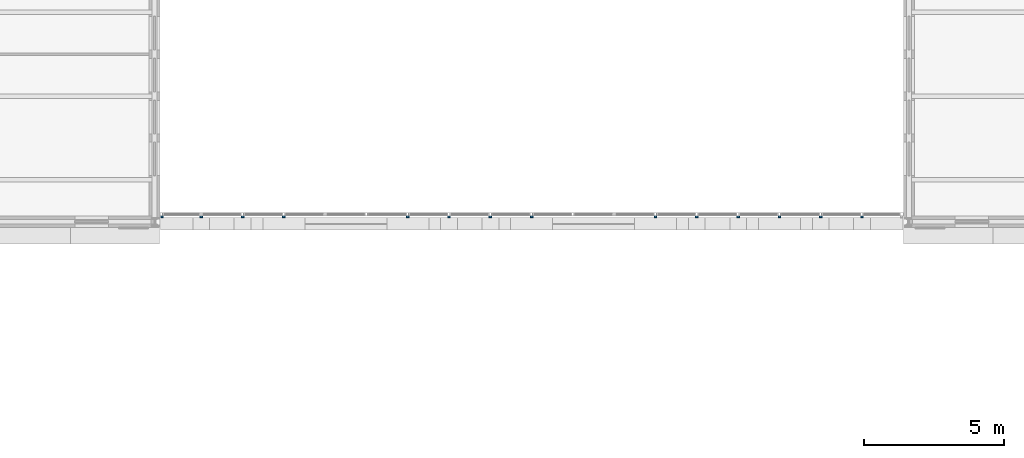
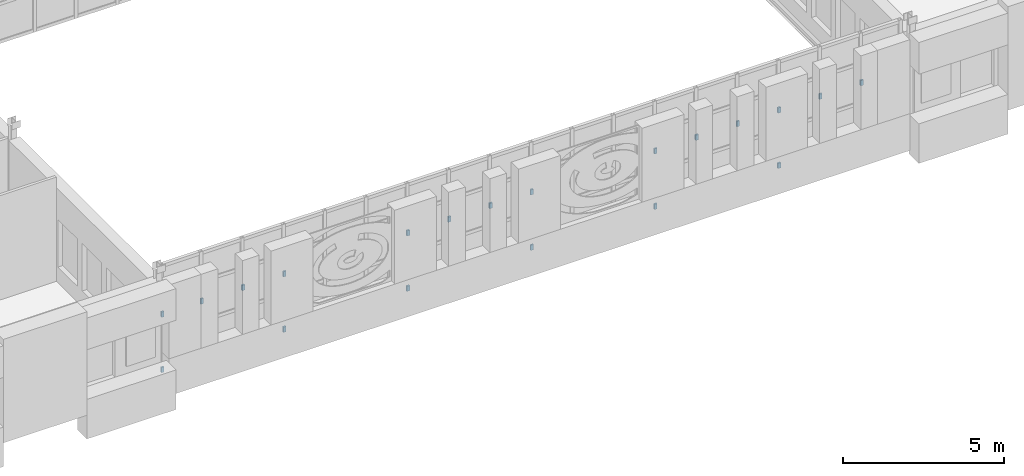
# One storey, part 123 of 154: 20 discrete accessories.
"""IFC4 building model written with IfcOpenShell, lengths in metres."""

import ifcopenshell
import ifcopenshell.guid

model = None  # the IFC model being written
_history = None  # IfcOwnerHistory: only IFC2X3 demands one
_inside = {}  # id of a spatial element -> (the spatial element, [elements in it])
_under = {}  # id of a project, library or spatial element -> (it, [spatial elements below it])
_declared = {}  # id of a project -> (the project, [libraries it declares])
_typed = {}  # id of a type object -> (the type object, [elements of that type])
_made_of = {}  # id of a material, layer set ... -> (it, [elements and type objects made of it])


def new_model(schema):
    """Start an empty IFC model of exactly this schema.

    Asked for "IFC4X3", IfcOpenShell would pick the latest addendum, in which some entities
    have other attributes; the version numbers below select the first issue.
    IFC2X3 requires an IfcOwnerHistory on every rooted entity: one is made here for all.
    """
    global model, _history
    if schema == "IFC4X3":
        model = ifcopenshell.file(schema_version=(4, 3, 0, 0))
    else:
        model = ifcopenshell.file(schema=schema)
    _inside.clear()
    _under.clear()
    _declared.clear()
    _typed.clear()
    _made_of.clear()
    _history = None
    if model.schema == "IFC2X3":
        org = make("IfcOrganization", Name="unknown")
        user = make(
            "IfcPersonAndOrganization",
            ThePerson=make("IfcPerson", FamilyName="unknown"),
            TheOrganization=org,
        )
        app = make(
            "IfcApplication",
            ApplicationDeveloper=org,
            Version="unknown",
            ApplicationFullName="unknown",
            ApplicationIdentifier="unknown",
        )
        _history = make(
            "IfcOwnerHistory",
            OwningUser=user,
            OwningApplication=app,
            ChangeAction="ADDED",
            CreationDate=0,
        )
    return model


def make(cls, **values):
    """One entity of the class cls with the attributes given. An attribute that is None is left unset."""
    return model.create_entity(
        cls, **{name: value for name, value in values.items() if value is not None}
    )


def rooted(cls, **values):
    """An entity with a GlobalId (a new one), such as an element, a storey or a relation."""
    return make(cls, GlobalId=ifcopenshell.guid.new(), OwnerHistory=_history, **values)


def si_unit(unit_type, name, prefix=None):
    """IfcSIUnit, for example si_unit("LENGTHUNIT", "METRE", prefix="MILLI")."""
    return make("IfcSIUnit", UnitType=unit_type, Prefix=prefix, Name=name)


def assignment(units):
    """IfcUnitAssignment: the units of a project."""
    return None if units is None else make("IfcUnitAssignment", Units=units)


def point(xyz):
    """IfcCartesianPoint."""
    return None if xyz is None else make("IfcCartesianPoint", Coordinates=xyz)


def direction(xyz):
    """IfcDirection."""
    return None if xyz is None else make("IfcDirection", DirectionRatios=xyz)


def frame(location, z_axis=None, x_axis=None):
    """IfcAxis2Placement3D, a coordinate frame: its origin and axes. An axis left out is left unset."""
    return make(
        "IfcAxis2Placement3D",
        Location=point(location),
        Axis=direction(z_axis),
        RefDirection=direction(x_axis),
    )


def frame_2d(location, x_axis=None):
    """IfcAxis2Placement2D, a coordinate frame in the plane: its origin and x axis."""
    return make(
        "IfcAxis2Placement2D", Location=point(location), RefDirection=direction(x_axis)
    )


def origin():
    """The frame at (0, 0, 0) with its axes left unset."""
    return frame((0.0, 0.0, 0.0))


def origin_2d():
    """The frame at (0, 0) in the plane with its x axis left unset."""
    return frame_2d((0.0, 0.0))


def place(relative_to, where):
    """IfcLocalPlacement: puts the frame where relative to a parent placement (None: the world)."""
    return make(
        "IfcLocalPlacement", PlacementRelTo=relative_to, RelativePlacement=where
    )


def context(
    kind, dimensions, precision=None, world=None, true_north=None, identifier=None
):
    """IfcGeometricRepresentationContext, for example the 3D "Model" context."""
    return make(
        "IfcGeometricRepresentationContext",
        ContextIdentifier=identifier,
        ContextType=kind,
        CoordinateSpaceDimension=dimensions,
        Precision=precision,
        WorldCoordinateSystem=world,
        TrueNorth=true_north,
    )


def subcontext(parent, identifier, kind, view, scale=None):
    """IfcGeometricRepresentationSubContext, for example "Body" below "Model"."""
    return make(
        "IfcGeometricRepresentationSubContext",
        ContextIdentifier=identifier,
        ContextType=kind,
        ParentContext=parent,
        TargetScale=scale,
        TargetView=view,
    )


def project(units=None, contexts=None):
    """IfcProject with its units and contexts."""
    return rooted(
        "IfcProject",
        Name="project",
        RepresentationContexts=contexts,
        UnitsInContext=assignment(units),
    )


def spatial(cls, under=None, at=None, **own):
    """A site, building, storey or space (cls), placed at a placement, below another one or the project."""
    s = rooted(cls, ObjectPlacement=at, **own)
    if under is not None:
        _under.setdefault(under.id(), (under, []))[1].append(s)
    return s


def profile(cls, at=None, kind="AREA", **sizes):
    """A parametric profile (cls). Its sizes go by their IFC names, for example OverallWidth=200.0."""
    return make(cls, ProfileType=kind, Position=at, **sizes)


def rectangle(**sizes):
    """IfcRectangleProfileDef."""
    return profile("IfcRectangleProfileDef", **sizes)


def extrude(swept, where, along, depth):
    """IfcExtrudedAreaSolid: the profile swept, set in the frame where, extruded along a direction by depth."""
    return make(
        "IfcExtrudedAreaSolid",
        SweptArea=swept,
        Position=where,
        ExtrudedDirection=direction(along),
        Depth=depth,
    )


def shape(context_of_items, identifier, shape_type, items):
    """IfcShapeRepresentation: the items that make up one representation, for example the "Body"."""
    return make(
        "IfcShapeRepresentation",
        ContextOfItems=context_of_items,
        RepresentationIdentifier=identifier,
        RepresentationType=shape_type,
        Items=items,
    )


def material(Name=None, Category=None):
    """IfcMaterial."""
    return make("IfcMaterial", Name=Name, Category=Category)


def made_of(thing, what):
    """Note that an element or type object is made of a material, layer set ...; save() writes the relation."""
    if what is not None:
        _made_of.setdefault(what.id(), (what, []))[1].append(thing)
    return thing


def type_object(cls, material=None, **own):
    """A type object (cls), such as IfcWallType, which elements share."""
    return made_of(rooted(cls, **own), material)


def element(
    cls,
    number,
    at=None,
    inside=None,
    cuts=None,
    type_object=None,
    material=None,
    context=None,
    identifier="Body",
    shape_type=None,
    held_by="IfcProductDefinitionShape",
    body=None,
    shapes=None,
    **own,
):
    """One element of the class cls, such as IfcWall. Its Tag is "e" and its number.

    at: its placement. inside: the storey or other place that contains it. cuts: it is an
    opening in that element (IfcRelVoidsElement). A single representation is given by context,
    identifier, shape_type and body (its items); several are given by shapes. held_by: the class
    of the entity that holds the representations. save() writes the other relations.
    """
    e = rooted(cls, Tag="e%d" % number, ObjectPlacement=at, **own)
    if body is not None:
        shapes = [shape(context, identifier, shape_type, body)]
    if shapes is not None:
        e.Representation = make(held_by, Representations=shapes)
    if inside is not None:
        _inside.setdefault(inside.id(), (inside, []))[1].append(e)
    if cuts is not None:
        rooted(
            "IfcRelVoidsElement", RelatingBuildingElement=cuts, RelatedOpeningElement=e
        )
    if type_object is not None:
        _typed.setdefault(type_object.id(), (type_object, []))[1].append(e)
    return made_of(e, material)


def aggregate(whole, parts):
    """IfcRelAggregates: a whole, such as a stair, and the parts it consists of."""
    return rooted("IfcRelAggregates", RelatingObject=whole, RelatedObjects=parts)


def save(model, path):
    """Write the relations noted so far, then the file.

    IfcRelAggregates (storeys below a building ...), IfcRelContainedInSpatialStructure (elements
    in a storey), IfcRelDefinesByType, IfcRelAssociatesMaterial and IfcRelDeclares: one each for
    every whole, place, type object, material and project.
    """
    for whole, parts in _under.values():
        aggregate(whole, parts)
    for where, things in _inside.values():
        rooted(
            "IfcRelContainedInSpatialStructure",
            RelatedElements=things,
            RelatingStructure=where,
        )
    for kind, things in _typed.values():
        rooted("IfcRelDefinesByType", RelatedObjects=things, RelatingType=kind)
    for what, things in _made_of.values():
        rooted("IfcRelAssociatesMaterial", RelatedObjects=things, RelatingMaterial=what)
    for by, libraries in _declared.values():
        rooted("IfcRelDeclares", RelatingContext=by, RelatedDefinitions=libraries)
    model.write(path)


model = new_model("IFC4")

# Units and contexts
model_context = context("Model", 3, precision=1e-05, world=origin(), true_north=direction((0.0, 1.0)))
body_context = subcontext(model_context, "Body", "Model", "MODEL_VIEW")
ifc_project = project(units=[si_unit("LENGTHUNIT", "METRE"), si_unit("AREAUNIT", "SQUARE_METRE"), si_unit("VOLUMEUNIT", "CUBIC_METRE"), si_unit("PLANEANGLEUNIT", "RADIAN"), si_unit("MASSUNIT", "GRAM", prefix="KILO")], contexts=[model_context])

# Site, building, storey
site_placement = place(None, origin())
site = spatial("IfcSite", under=ifc_project, at=site_placement, CompositionType="ELEMENT")
building_placement = place(site_placement, origin())
building = spatial("IfcBuilding", under=site, at=building_placement, Name="Golden Quay Civic Hall", CompositionType="ELEMENT")
storey_placement = place(building_placement, frame((0.0, 0.0, 14.39990234375)))
storey = spatial("IfcBuildingStorey", under=building, at=storey_placement, Name="L03", CompositionType="ELEMENT", Elevation=14.39990234375)

# Discrete accessories
ifc_material = material(Name="Steel S355", Category="steel")
discrete_accessory_type = type_object("IfcDiscreteAccessoryType", Name="Hall screen bracket 100 x 200", PredefinedType="BRACKET", material=ifc_material)
discrete_accessory_1_placement = place(storey_placement, frame((72.264892578125, 0.179931640625, -0.10009765625), z_axis=(0.0, 0.0, 1.0), x_axis=(1.0, 0.0, 0.0)))
element("IfcDiscreteAccessory", 1, at=discrete_accessory_1_placement, inside=storey, type_object=discrete_accessory_type, Name="Hall screen bracket 0", PredefinedType="BRACKET", context=body_context, shape_type="SweptSolid", body=[
    extrude(rectangle(XDim=0.090087890625, YDim=0.06005859375, at=origin_2d()), origin(), (0.0, 0.0, 1.0), 0.199951171875),
])
for number, where, z_axis, x_axis, name in (
    (2, (76.633056640625, 0.179931640625, -0.10009765625), (0.0, 0.0, 1.0), (1.0, 0.0, 0.0), "Hall screen bracket 3"),
    (3, (81.06689453125, 0.179931640625, -0.10009765625), (0.0, 0.0, 1.0), (1.0, 0.0, 0.0), "Hall screen bracket 6"),
    (4, (85.5, 0.179931640625, -0.10009765625), (0.0, 0.0, 1.0), (1.0, 0.0, 0.0), "Hall screen bracket 9"),
    (5, (89.93310546875, 0.179931640625, -0.10009765625), (0.0, 0.0, 1.0), (1.0, 0.0, 0.0), "Hall screen bracket 12"),
    (6, (94.366943359375, 0.179931640625, -0.10009765625), (0.0, 0.0, 1.0), (1.0, 0.0, 0.0), "Hall screen bracket 15"),
):
    element("IfcDiscreteAccessory", number, at=place(storey_placement, frame(where, z_axis=z_axis, x_axis=x_axis)), inside=storey, type_object=discrete_accessory_type, Name=name, PredefinedType="BRACKET", context=body_context, shape_type="SweptSolid", body=[
        extrude(rectangle(XDim=0.10009765625, YDim=0.06005859375, at=origin_2d()), origin(), (0.0, 0.0, 1.0), 0.199951171875),
    ])
discrete_accessory_2_placement = place(storey_placement, frame((72.264892578125, 0.179931640625, 2.0), z_axis=(0.0, 0.0, 1.0), x_axis=(1.0, 0.0, 0.0)))
element("IfcDiscreteAccessory", 7, at=discrete_accessory_2_placement, inside=storey, type_object=discrete_accessory_type, Name="Hall screen bracket 0", PredefinedType="BRACKET", context=body_context, shape_type="SweptSolid", body=[
    extrude(rectangle(XDim=0.090087890625, YDim=0.06005859375, at=origin_2d()), origin(), (0.0, 0.0, 1.0), 0.199951171875),
])
for number, where, z_axis, x_axis, name in (
    (8, (76.633056640625, 0.179931640625, 2.0), (0.0, 0.0, 1.0), (1.0, 0.0, 0.0), "Hall screen bracket 3"),
    (9, (81.06689453125, 0.179931640625, 2.0), (0.0, 0.0, 1.0), (1.0, 0.0, 0.0), "Hall screen bracket 6"),
    (10, (85.5, 0.179931640625, 2.0), (0.0, 0.0, 1.0), (1.0, 0.0, 0.0), "Hall screen bracket 9"),
    (11, (89.93310546875, 0.179931640625, 2.0), (0.0, 0.0, 1.0), (1.0, 0.0, 0.0), "Hall screen bracket 12"),
    (12, (94.366943359375, 0.179931640625, 2.0), (0.0, 0.0, 1.0), (1.0, 0.0, 0.0), "Hall screen bracket 15"),
    (13, (73.677978515625, 0.179931640625, 2.0), (0.0, 0.0, 1.0), (1.0, 0.0, 0.0), "Hall screen bracket 1"),
    (14, (75.156005859375, 0.179931640625, 2.0), (0.0, 0.0, 1.0), (1.0, 0.0, 0.0), "Hall screen bracket 2"),
    (15, (82.5439453125, 0.179931640625, 2.0), (0.0, 0.0, 1.0), (1.0, 0.0, 0.0), "Hall screen bracket 7"),
    (16, (84.02197265625, 0.179931640625, 2.0), (0.0, 0.0, 1.0), (1.0, 0.0, 0.0), "Hall screen bracket 8"),
    (17, (91.410888671875, 0.179931640625, 2.0), (0.0, 0.0, 1.0), (1.0, 0.0, 0.0), "Hall screen bracket 13"),
    (18, (92.888916015625, 0.179931640625, 2.0), (0.0, 0.0, 1.0), (1.0, 0.0, 0.0), "Hall screen bracket 14"),
    (19, (95.843994140625, 0.179931640625, 2.0), (0.0, 0.0, 1.0), (1.0, 0.0, 0.0), "Hall screen bracket 16"),
    (20, (97.322021484375, 0.179931640625, 2.0), (0.0, 0.0, 1.0), (1.0, 0.0, 0.0), "Hall screen bracket 17"),
):
    element("IfcDiscreteAccessory", number, at=place(storey_placement, frame(where, z_axis=z_axis, x_axis=x_axis)), inside=storey, type_object=discrete_accessory_type, Name=name, PredefinedType="BRACKET", context=body_context, shape_type="SweptSolid", body=[
        extrude(rectangle(XDim=0.10009765625, YDim=0.06005859375, at=origin_2d()), origin(), (0.0, 0.0, 1.0), 0.199951171875),
    ])

save(model, "model.ifc")
